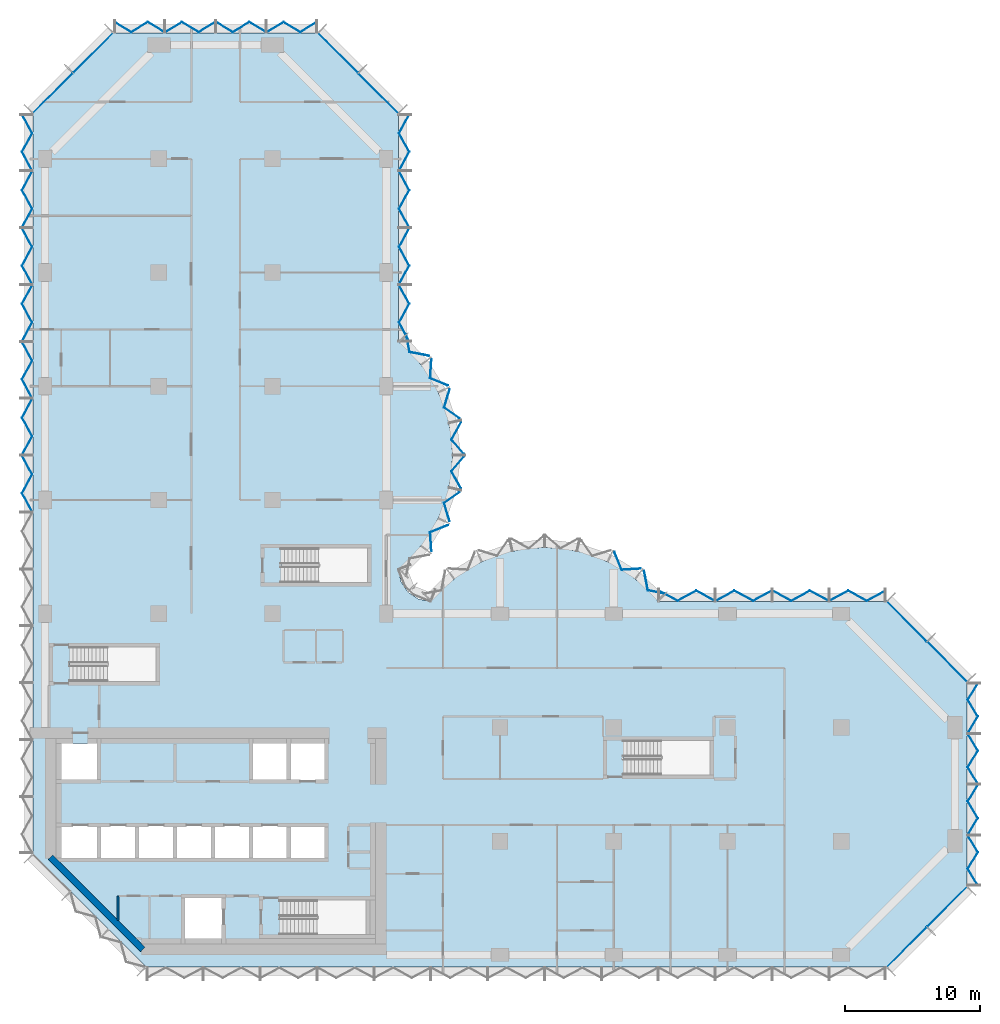
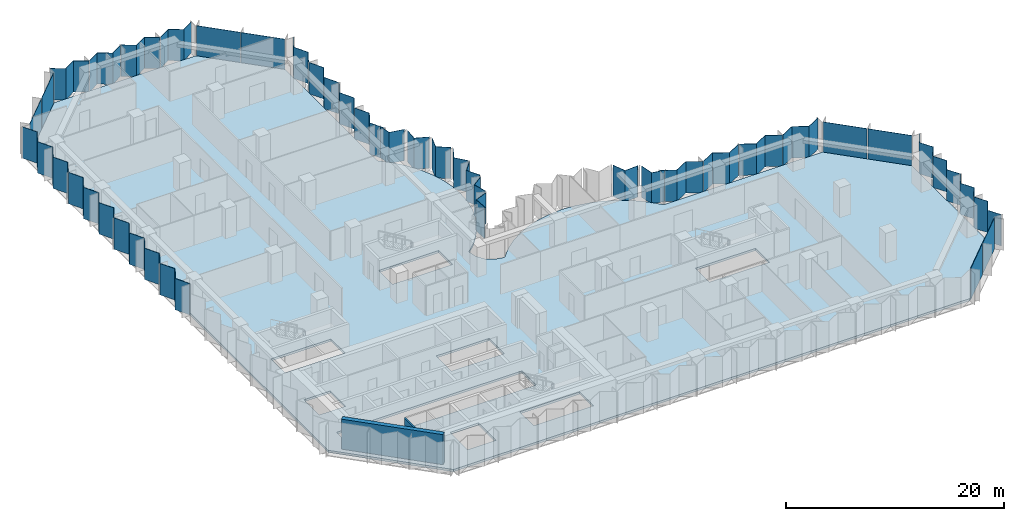
# One storey, part 6 of 13: 40 plates, 2 walls, 1 slab, 11 elements without a shape of their own.
"""IFC4 building model written with IfcOpenShell, lengths in metres."""

from ifc_helpers import new_model, si_unit, direction, frame, frame_2d, origin, place, context, subcontext, project, spatial, polyline, rectangle, outline, extrude, material, layer, layer_set, type_object, element, aggregate, save


model = new_model("IFC4")

# Units and contexts
model_context = context("Model", 3, precision=1e-05, world=origin(), true_north=direction((0.0, 1.0)))
body_context = subcontext(model_context, "Body", "Model", "MODEL_VIEW")
ifc_project = project(units=[si_unit("LENGTHUNIT", "METRE"), si_unit("AREAUNIT", "SQUARE_METRE"), si_unit("VOLUMEUNIT", "CUBIC_METRE"), si_unit("PLANEANGLEUNIT", "RADIAN"), si_unit("MASSUNIT", "GRAM", prefix="KILO")], contexts=[model_context])

# Site, building, storey
site_placement = place(None, origin())
site = spatial("IfcSite", under=ifc_project, at=site_placement, CompositionType="ELEMENT")
building_placement = place(site_placement, origin())
building = spatial("IfcBuilding", under=site, at=building_placement, Name="Brevane Broadcast Tower", CompositionType="ELEMENT")
storey_placement = place(building_placement, frame((0.0, 0.0, 102.5)))
storey = spatial("IfcBuildingStorey", under=building, at=storey_placement, Name="L24", CompositionType="ELEMENT", Elevation=102.5)

# Curtain wall, plates
ifc_material_1 = material(Name="Aluminium 6063-T6 bronze anodised", Category="aluminium")
curtain_wall_type = type_object("IfcCurtainWallType", Name="CW-1 curtain wall", PredefinedType="NOTDEFINED", material=ifc_material_1)
curtain_wall_1_placement = place(storey_placement, origin())
curtain_wall_1 = element("IfcCurtainWall", 1, at=curtain_wall_1_placement, inside=storey, type_object=curtain_wall_type, Name="CW-1 typical tilted unit L24 south-east chamfer", PredefinedType="NOTDEFINED")
ifc_material_2 = material(Name="Laminated glass bronze-tinted", Category="glass")
ifc_layer_1 = layer(ifc_material_2, 0.0400390625)
ifc_layer_set_1 = layer_set([ifc_layer_1], Name="CW tall glass panel 40")
plate_type = type_object("IfcPlateType", Name="CW tall glass panel 40", PredefinedType="CURTAIN_PANEL", material=ifc_layer_set_1)
plate_1_placement = place(storey_placement, frame((0.0, 0.0, -0.14990234375)))
plate_1 = element("IfcPlate", 2, at=plate_1_placement, type_object=plate_type, Name="CW-1 glass panel", PredefinedType="CURTAIN_PANEL", context=body_context, shape_type="SweptSolid", body=[
    extrude(outline(polyline([(62.14599609375, -0.896484375), (65.096435546875, 2.053955078125), (65.124755859375, 2.02587890625), (62.17431640625, -0.9248046875), (62.14599609375, -0.896484375)])), origin(), (0.0, 0.0, 1.0), 3.5),
])
plate_2_placement = place(storey_placement, frame((0.0, 0.0, -0.14990234375)))
plate_2 = element("IfcPlate", 3, at=plate_2_placement, type_object=plate_type, Name="CW-1 glass panel", PredefinedType="CURTAIN_PANEL", context=body_context, shape_type="SweptSolid", body=[
    extrude(outline(polyline([(65.14599609375, 2.103515625), (68.096435546875, 5.053955078125), (68.124755859375, 5.02587890625), (65.17431640625, 2.0751953125), (65.14599609375, 2.103515625)])), origin(), (0.0, 0.0, 1.0), 3.5),
])
aggregate(curtain_wall_1, [plate_1, plate_2])

curtain_wall_2_placement = place(storey_placement, origin())
curtain_wall_2 = element("IfcCurtainWall", 4, at=curtain_wall_2_placement, inside=storey, type_object=curtain_wall_type, Name="CW-1 typical tilted unit L24 east end", PredefinedType="NOTDEFINED")
plate_3_placement = place(storey_placement, frame((0.0, 0.0, -0.14990234375)))
plate_3 = element("IfcPlate", 5, at=plate_3_placement, type_object=plate_type, Name="CW-1 glass panel", PredefinedType="CURTAIN_PANEL", context=body_context, shape_type="SweptSolid", body=[
    extrude(outline(polyline([(68.87109375, 5.135009765625), (68.917724609375, 5.135009765625), (68.17333984375, 6.36181640625), (68.917724609375, 7.58837890625), (68.17333984375, 8.81494140625), (68.126708984375, 8.81494140625), (68.87109375, 7.58837890625), (68.126708984375, 6.36181640625), (68.87109375, 5.135009765625)])), origin(), (0.0, 0.0, 1.0), 3.5),
])
plate_4_placement = place(storey_placement, frame((0.0, 0.0, -0.14990234375)))
plate_4 = element("IfcPlate", 6, at=plate_4_placement, type_object=plate_type, Name="CW-1 glass panel", PredefinedType="CURTAIN_PANEL", context=body_context, shape_type="SweptSolid", body=[
    extrude(outline(polyline([(68.126708984375, 8.885009765625), (68.17333984375, 8.885009765625), (68.917724609375, 10.11181640625), (68.17333984375, 11.33837890625), (68.917724609375, 12.56494140625), (68.87109375, 12.56494140625), (68.126708984375, 11.33837890625), (68.87109375, 10.11181640625), (68.126708984375, 8.885009765625)])), origin(), (0.0, 0.0, 1.0), 3.5),
])
plate_5_placement = place(storey_placement, frame((0.0, 0.0, -0.14990234375)))
plate_5 = element("IfcPlate", 7, at=plate_5_placement, type_object=plate_type, Name="CW-1 glass panel", PredefinedType="CURTAIN_PANEL", context=body_context, shape_type="SweptSolid", body=[
    extrude(outline(polyline([(68.87109375, 12.635009765625), (68.917724609375, 12.635009765625), (68.17333984375, 13.86181640625), (68.917724609375, 15.08837890625), (68.17333984375, 16.31494140625), (68.126708984375, 16.31494140625), (68.87109375, 15.08837890625), (68.126708984375, 13.86181640625), (68.87109375, 12.635009765625)])), origin(), (0.0, 0.0, 1.0), 3.5),
])
plate_6_placement = place(storey_placement, frame((0.0, 0.0, -0.14990234375)))
plate_6 = element("IfcPlate", 8, at=plate_6_placement, type_object=plate_type, Name="CW-1 glass panel", PredefinedType="CURTAIN_PANEL", context=body_context, shape_type="SweptSolid", body=[
    extrude(outline(polyline([(68.126708984375, 16.385009765625), (68.17333984375, 16.385009765625), (68.917724609375, 17.61181640625), (68.17333984375, 18.83837890625), (68.917724609375, 20.06494140625), (68.87109375, 20.06494140625), (68.126708984375, 18.83837890625), (68.87109375, 17.61181640625), (68.126708984375, 16.385009765625)])), origin(), (0.0, 0.0, 1.0), 3.5),
])
aggregate(curtain_wall_2, [plate_3, plate_4, plate_5, plate_6])

curtain_wall_3_placement = place(storey_placement, origin())
curtain_wall_3 = element("IfcCurtainWall", 9, at=curtain_wall_3_placement, inside=storey, type_object=curtain_wall_type, Name="CW-1 typical tilted unit L24 north-east chamfer", PredefinedType="NOTDEFINED")
plate_7_placement = place(storey_placement, frame((0.0, 0.0, -0.14990234375)))
plate_7 = element("IfcPlate", 10, at=plate_7_placement, type_object=plate_type, Name="CW-1 glass panel", PredefinedType="CURTAIN_PANEL", context=body_context, shape_type="SweptSolid", body=[
    extrude(outline(polyline([(68.096435546875, 20.14599609375), (65.14599609375, 23.096435546875), (65.17431640625, 23.124755859375), (68.124755859375, 20.17431640625), (68.096435546875, 20.14599609375)])), origin(), (0.0, 0.0, 1.0), 3.5),
])
plate_8_placement = place(storey_placement, frame((0.0, 0.0, -0.14990234375)))
plate_8 = element("IfcPlate", 11, at=plate_8_placement, type_object=plate_type, Name="CW-1 glass panel", PredefinedType="CURTAIN_PANEL", context=body_context, shape_type="SweptSolid", body=[
    extrude(outline(polyline([(65.096435546875, 23.14599609375), (62.14599609375, 26.096435546875), (62.17431640625, 26.124755859375), (65.124755859375, 23.17431640625), (65.096435546875, 23.14599609375)])), origin(), (0.0, 0.0, 1.0), 3.5),
])
aggregate(curtain_wall_3, [plate_7, plate_8])

curtain_wall_4_placement = place(storey_placement, origin())
curtain_wall_4 = element("IfcCurtainWall", 12, at=curtain_wall_4_placement, inside=storey, type_object=curtain_wall_type, Name="CW-1 typical tilted unit L24 east arm north face", PredefinedType="NOTDEFINED")
plate_9_placement = place(storey_placement, frame((0.0, 0.0, -0.14990234375)))
plate_9 = element("IfcPlate", 13, at=plate_9_placement, type_object=plate_type, Name="CW-1 glass panel", PredefinedType="CURTAIN_PANEL", context=body_context, shape_type="SweptSolid", body=[
    extrude(outline(polyline([(62.06494140625, 26.87158203125), (62.06494140625, 26.9169921875), (60.688232421875, 26.172607421875), (59.311767578125, 26.9169921875), (57.93505859375, 26.172607421875), (57.93505859375, 26.127197265625), (59.311767578125, 26.87158203125), (60.688232421875, 26.127197265625), (62.06494140625, 26.87158203125)])), origin(), (0.0, 0.0, 1.0), 3.5),
])
plate_10_placement = place(storey_placement, frame((0.0, 0.0, -0.14990234375)))
plate_10 = element("IfcPlate", 14, at=plate_10_placement, type_object=plate_type, Name="CW-1 glass panel", PredefinedType="CURTAIN_PANEL", context=body_context, shape_type="SweptSolid", body=[
    extrude(outline(polyline([(57.864990234375, 26.127197265625), (57.864990234375, 26.172607421875), (56.48828125, 26.9169921875), (55.11181640625, 26.172607421875), (53.735107421875, 26.9169921875), (53.735107421875, 26.87158203125), (55.11181640625, 26.127197265625), (56.48828125, 26.87158203125), (57.864990234375, 26.127197265625)])), origin(), (0.0, 0.0, 1.0), 3.5),
])
plate_11_placement = place(storey_placement, frame((0.0, 0.0, -0.14990234375)))
plate_11 = element("IfcPlate", 15, at=plate_11_placement, type_object=plate_type, Name="CW-1 glass panel", PredefinedType="CURTAIN_PANEL", context=body_context, shape_type="SweptSolid", body=[
    extrude(outline(polyline([(53.6650390625, 26.87158203125), (53.6650390625, 26.9169921875), (52.288330078125, 26.172607421875), (50.91162109375, 26.9169921875), (49.534912109375, 26.172607421875), (49.534912109375, 26.127197265625), (50.91162109375, 26.87158203125), (52.288330078125, 26.127197265625), (53.6650390625, 26.87158203125)])), origin(), (0.0, 0.0, 1.0), 3.5),
])
plate_12_placement = place(storey_placement, frame((0.0, 0.0, -0.14990234375)))
plate_12 = element("IfcPlate", 16, at=plate_12_placement, type_object=plate_type, Name="CW-1 glass panel", PredefinedType="CURTAIN_PANEL", context=body_context, shape_type="SweptSolid", body=[
    extrude(outline(polyline([(49.465087890625, 26.127197265625), (49.465087890625, 26.172607421875), (48.08837890625, 26.9169921875), (46.711669921875, 26.172607421875), (45.3349609375, 26.9169921875), (45.3349609375, 26.87158203125), (46.711669921875, 26.127197265625), (48.08837890625, 26.87158203125), (49.465087890625, 26.127197265625)])), origin(), (0.0, 0.0, 1.0), 3.5),
])
aggregate(curtain_wall_4, [plate_9, plate_10, plate_11, plate_12])

curtain_wall_5_placement = place(storey_placement, origin())
curtain_wall_5 = element("IfcCurtainWall", 17, at=curtain_wall_5_placement, inside=storey, type_object=curtain_wall_type, Name="CW-1 typical tilted unit L24 east bow", PredefinedType="NOTDEFINED")
plate_13_placement = place(storey_placement, frame((0.0, 0.0, -0.14990234375)))
plate_13 = element("IfcPlate", 18, at=plate_13_placement, type_object=plate_type, Name="CW-1 glass panel", PredefinedType="CURTAIN_PANEL", context=body_context, shape_type="SweptSolid", body=[
    extrude(outline(polyline([(45.79150390625, 26.656005859375), (45.82470703125, 26.690185546875), (44.539306640625, 26.9423828125), (44.263916015625, 28.3857421875), (44.231201171875, 28.34375), (44.5048828125, 26.908203125), (45.79150390625, 26.656005859375)])), origin(), (0.0, 0.0, 1.0), 3.5),
])
plate_14_placement = place(storey_placement, frame((0.0, 0.0, -0.14990234375)))
plate_14 = element("IfcPlate", 19, at=plate_14_placement, type_object=plate_type, Name="CW-1 glass panel", PredefinedType="CURTAIN_PANEL", context=body_context, shape_type="SweptSolid", body=[
    extrude(outline(polyline([(43.950439453125, 28.5087890625), (43.9833984375, 28.551025390625), (42.601318359375, 28.462890625), (42.0703125, 29.76171875), (42.046875, 29.712890625), (42.5751953125, 28.42138671875), (43.950439453125, 28.5087890625)])), origin(), (0.0, 0.0, 1.0), 3.5),
])
aggregate(curtain_wall_5, [plate_13, plate_14])

curtain_wall_6_placement = place(storey_placement, origin())
curtain_wall_6 = element("IfcCurtainWall", 20, at=curtain_wall_6_placement, inside=storey, type_object=curtain_wall_type, Name="CW-1 typical tilted unit L24 north bow", PredefinedType="NOTDEFINED")
plate_15_placement = place(storey_placement, frame((0.0, 0.0, -0.14990234375)))
plate_15 = element("IfcPlate", 21, at=plate_15_placement, type_object=plate_type, Name="CW-1 glass panel", PredefinedType="CURTAIN_PANEL", context=body_context, shape_type="SweptSolid", body=[
    extrude(outline(polyline([(28.5087890625, 29.849609375), (28.551025390625, 29.816650390625), (28.462890625, 31.198486328125), (29.76171875, 31.729736328125), (29.712890625, 31.753173828125), (28.42138671875, 31.224609375), (28.5087890625, 29.849609375)])), origin(), (0.0, 0.0, 1.0), 3.5),
])
plate_16_placement = place(storey_placement, frame((0.0, 0.0, -0.14990234375)))
plate_16 = element("IfcPlate", 22, at=plate_16_placement, type_object=plate_type, Name="CW-1 glass panel", PredefinedType="CURTAIN_PANEL", context=body_context, shape_type="SweptSolid", body=[
    extrude(outline(polyline([(29.851806640625, 32.044677734375), (29.900634765625, 32.021484375), (29.494384765625, 33.364501953125), (30.622802734375, 34.167236328125), (30.57080078125, 34.17919921875), (29.44775390625, 33.380615234375), (29.851806640625, 32.044677734375)])), origin(), (0.0, 0.0, 1.0), 3.5),
])
plate_17_placement = place(storey_placement, frame((0.0, 0.0, -0.14990234375)))
plate_17 = element("IfcPlate", 23, at=plate_17_placement, type_object=plate_type, Name="CW-1 glass panel", PredefinedType="CURTAIN_PANEL", context=body_context, shape_type="SweptSolid", body=[
    extrude(outline(polyline([(30.68798828125, 34.483642578125), (30.740478515625, 34.4716796875), (30.036376953125, 35.730224609375), (30.94921875, 36.7919921875), (30.896484375, 36.7919921875), (29.98779296875, 35.735107421875), (30.68798828125, 34.483642578125)])), origin(), (0.0, 0.0, 1.0), 3.5),
])
plate_18_placement = place(storey_placement, frame((0.0, 0.0, -0.14990234375)))
plate_18 = element("IfcPlate", 24, at=plate_18_placement, type_object=plate_type, Name="CW-1 glass panel", PredefinedType="CURTAIN_PANEL", context=body_context, shape_type="SweptSolid", body=[
    extrude(outline(polyline([(30.896484375, 37.008056640625), (30.94921875, 37.008056640625), (30.036376953125, 38.069580078125), (30.740478515625, 39.328369140625), (30.68798828125, 39.31640625), (29.98779296875, 38.064697265625), (30.896484375, 37.008056640625)])), origin(), (0.0, 0.0, 1.0), 3.5),
])
plate_19_placement = place(storey_placement, frame((0.0, 0.0, -0.14990234375)))
plate_19 = element("IfcPlate", 25, at=plate_19_placement, type_object=plate_type, Name="CW-1 glass panel", PredefinedType="CURTAIN_PANEL", context=body_context, shape_type="SweptSolid", body=[
    extrude(outline(polyline([(30.57080078125, 39.62060546875), (30.622802734375, 39.6328125), (29.494384765625, 40.435546875), (29.900634765625, 41.778564453125), (29.851806640625, 41.75537109375), (29.44775390625, 40.41943359375), (30.57080078125, 39.62060546875)])), origin(), (0.0, 0.0, 1.0), 3.5),
])
plate_20_placement = place(storey_placement, frame((0.0, 0.0, -0.14990234375)))
plate_20 = element("IfcPlate", 26, at=plate_20_placement, type_object=plate_type, Name="CW-1 glass panel", PredefinedType="CURTAIN_PANEL", context=body_context, shape_type="SweptSolid", body=[
    extrude(outline(polyline([(29.712890625, 42.046875), (29.76171875, 42.0703125), (28.462890625, 42.601318359375), (28.551025390625, 43.9833984375), (28.5087890625, 43.950439453125), (28.42138671875, 42.5751953125), (29.712890625, 42.046875)])), origin(), (0.0, 0.0, 1.0), 3.5),
])
plate_21_placement = place(storey_placement, frame((0.0, 0.0, -0.14990234375)))
plate_21 = element("IfcPlate", 27, at=plate_21_placement, type_object=plate_type, Name="CW-1 glass panel", PredefinedType="CURTAIN_PANEL", context=body_context, shape_type="SweptSolid", body=[
    extrude(outline(polyline([(28.34375, 44.231201171875), (28.3857421875, 44.263916015625), (26.9423828125, 44.539306640625), (26.690185546875, 45.82470703125), (26.656005859375, 45.79150390625), (26.908203125, 44.5048828125), (28.34375, 44.231201171875)])), origin(), (0.0, 0.0, 1.0), 3.5),
])
aggregate(curtain_wall_6, [plate_15, plate_16, plate_17, plate_18, plate_19, plate_20, plate_21])

curtain_wall_7_placement = place(storey_placement, origin())
curtain_wall_7 = element("IfcCurtainWall", 28, at=curtain_wall_7_placement, inside=storey, type_object=curtain_wall_type, Name="CW-1 typical tilted unit L24 north arm east face", PredefinedType="NOTDEFINED")
plate_22_placement = place(storey_placement, frame((0.0, 0.0, -0.14990234375)))
plate_22 = element("IfcPlate", 29, at=plate_22_placement, type_object=plate_type, Name="CW-1 glass panel", PredefinedType="CURTAIN_PANEL", context=body_context, shape_type="SweptSolid", body=[
    extrude(outline(polyline([(26.87158203125, 45.3349609375), (26.9169921875, 45.3349609375), (26.172607421875, 46.711669921875), (26.9169921875, 48.08837890625), (26.172607421875, 49.465087890625), (26.127197265625, 49.465087890625), (26.87158203125, 48.08837890625), (26.127197265625, 46.711669921875), (26.87158203125, 45.3349609375)])), origin(), (0.0, 0.0, 1.0), 3.5),
])
plate_23_placement = place(storey_placement, frame((0.0, 0.0, -0.14990234375)))
plate_23 = element("IfcPlate", 30, at=plate_23_placement, type_object=plate_type, Name="CW-1 glass panel", PredefinedType="CURTAIN_PANEL", context=body_context, shape_type="SweptSolid", body=[
    extrude(outline(polyline([(26.127197265625, 49.534912109375), (26.172607421875, 49.534912109375), (26.9169921875, 50.91162109375), (26.172607421875, 52.288330078125), (26.9169921875, 53.6650390625), (26.87158203125, 53.6650390625), (26.127197265625, 52.288330078125), (26.87158203125, 50.91162109375), (26.127197265625, 49.534912109375)])), origin(), (0.0, 0.0, 1.0), 3.5),
])
plate_24_placement = place(storey_placement, frame((0.0, 0.0, -0.14990234375)))
plate_24 = element("IfcPlate", 31, at=plate_24_placement, type_object=plate_type, Name="CW-1 glass panel", PredefinedType="CURTAIN_PANEL", context=body_context, shape_type="SweptSolid", body=[
    extrude(outline(polyline([(26.87158203125, 53.735107421875), (26.9169921875, 53.735107421875), (26.172607421875, 55.11181640625), (26.9169921875, 56.48828125), (26.172607421875, 57.864990234375), (26.127197265625, 57.864990234375), (26.87158203125, 56.48828125), (26.127197265625, 55.11181640625), (26.87158203125, 53.735107421875)])), origin(), (0.0, 0.0, 1.0), 3.5),
])
plate_25_placement = place(storey_placement, frame((0.0, 0.0, -0.14990234375)))
plate_25 = element("IfcPlate", 32, at=plate_25_placement, type_object=plate_type, Name="CW-1 glass panel", PredefinedType="CURTAIN_PANEL", context=body_context, shape_type="SweptSolid", body=[
    extrude(outline(polyline([(26.127197265625, 57.93505859375), (26.172607421875, 57.93505859375), (26.9169921875, 59.311767578125), (26.172607421875, 60.688232421875), (26.9169921875, 62.06494140625), (26.87158203125, 62.06494140625), (26.127197265625, 60.688232421875), (26.87158203125, 59.311767578125), (26.127197265625, 57.93505859375)])), origin(), (0.0, 0.0, 1.0), 3.5),
])
aggregate(curtain_wall_7, [plate_22, plate_23, plate_24, plate_25])

curtain_wall_8_placement = place(storey_placement, origin())
curtain_wall_8 = element("IfcCurtainWall", 33, at=curtain_wall_8_placement, inside=storey, type_object=curtain_wall_type, Name="CW-1 typical tilted unit L24 north arm north-east chamfer", PredefinedType="NOTDEFINED")
plate_26_placement = place(storey_placement, frame((0.0, 0.0, -0.14990234375)))
plate_26 = element("IfcPlate", 34, at=plate_26_placement, type_object=plate_type, Name="CW-1 glass panel", PredefinedType="CURTAIN_PANEL", context=body_context, shape_type="SweptSolid", body=[
    extrude(outline(polyline([(26.096435546875, 62.14599609375), (23.14599609375, 65.096435546875), (23.17431640625, 65.124755859375), (26.124755859375, 62.17431640625), (26.096435546875, 62.14599609375)])), origin(), (0.0, 0.0, 1.0), 3.5),
])
plate_27_placement = place(storey_placement, frame((0.0, 0.0, -0.14990234375)))
plate_27 = element("IfcPlate", 35, at=plate_27_placement, type_object=plate_type, Name="CW-1 glass panel", PredefinedType="CURTAIN_PANEL", context=body_context, shape_type="SweptSolid", body=[
    extrude(outline(polyline([(23.096435546875, 65.14599609375), (20.14599609375, 68.096435546875), (20.17431640625, 68.124755859375), (23.124755859375, 65.17431640625), (23.096435546875, 65.14599609375)])), origin(), (0.0, 0.0, 1.0), 3.5),
])
aggregate(curtain_wall_8, [plate_26, plate_27])

curtain_wall_9_placement = place(storey_placement, origin())
curtain_wall_9 = element("IfcCurtainWall", 36, at=curtain_wall_9_placement, inside=storey, type_object=curtain_wall_type, Name="CW-1 typical tilted unit L24 north end", PredefinedType="NOTDEFINED")
plate_28_placement = place(storey_placement, frame((0.0, 0.0, -0.14990234375)))
plate_28 = element("IfcPlate", 37, at=plate_28_placement, type_object=plate_type, Name="CW-1 glass panel", PredefinedType="CURTAIN_PANEL", context=body_context, shape_type="SweptSolid", body=[
    extrude(outline(polyline([(20.06494140625, 68.87109375), (20.06494140625, 68.917724609375), (18.83837890625, 68.17333984375), (17.61181640625, 68.917724609375), (16.385009765625, 68.17333984375), (16.385009765625, 68.126708984375), (17.61181640625, 68.87109375), (18.83837890625, 68.126708984375), (20.06494140625, 68.87109375)])), origin(), (0.0, 0.0, 1.0), 3.5),
])
plate_29_placement = place(storey_placement, frame((0.0, 0.0, -0.14990234375)))
plate_29 = element("IfcPlate", 38, at=plate_29_placement, type_object=plate_type, Name="CW-1 glass panel", PredefinedType="CURTAIN_PANEL", context=body_context, shape_type="SweptSolid", body=[
    extrude(outline(polyline([(16.31494140625, 68.126708984375), (16.31494140625, 68.17333984375), (15.08837890625, 68.917724609375), (13.86181640625, 68.17333984375), (12.635009765625, 68.917724609375), (12.635009765625, 68.87109375), (13.86181640625, 68.126708984375), (15.08837890625, 68.87109375), (16.31494140625, 68.126708984375)])), origin(), (0.0, 0.0, 1.0), 3.5),
])
plate_30_placement = place(storey_placement, frame((0.0, 0.0, -0.14990234375)))
plate_30 = element("IfcPlate", 39, at=plate_30_placement, type_object=plate_type, Name="CW-1 glass panel", PredefinedType="CURTAIN_PANEL", context=body_context, shape_type="SweptSolid", body=[
    extrude(outline(polyline([(12.56494140625, 68.87109375), (12.56494140625, 68.917724609375), (11.33837890625, 68.17333984375), (10.11181640625, 68.917724609375), (8.885009765625, 68.17333984375), (8.885009765625, 68.126708984375), (10.11181640625, 68.87109375), (11.33837890625, 68.126708984375), (12.56494140625, 68.87109375)])), origin(), (0.0, 0.0, 1.0), 3.5),
])
plate_31_placement = place(storey_placement, frame((0.0, 0.0, -0.14990234375)))
plate_31 = element("IfcPlate", 40, at=plate_31_placement, type_object=plate_type, Name="CW-1 glass panel", PredefinedType="CURTAIN_PANEL", context=body_context, shape_type="SweptSolid", body=[
    extrude(outline(polyline([(8.81494140625, 68.126708984375), (8.81494140625, 68.17333984375), (7.58837890625, 68.917724609375), (6.36181640625, 68.17333984375), (5.135009765625, 68.917724609375), (5.135009765625, 68.87109375), (6.36181640625, 68.126708984375), (7.58837890625, 68.87109375), (8.81494140625, 68.126708984375)])), origin(), (0.0, 0.0, 1.0), 3.5),
])
aggregate(curtain_wall_9, [plate_28, plate_29, plate_30, plate_31])

curtain_wall_10_placement = place(storey_placement, origin())
curtain_wall_10 = element("IfcCurtainWall", 41, at=curtain_wall_10_placement, inside=storey, type_object=curtain_wall_type, Name="CW-1 typical tilted unit L24 north-west chamfer", PredefinedType="NOTDEFINED")
plate_32_placement = place(storey_placement, frame((0.0, 0.0, -0.14990234375)))
plate_32 = element("IfcPlate", 42, at=plate_32_placement, type_object=plate_type, Name="CW-1 glass panel", PredefinedType="CURTAIN_PANEL", context=body_context, shape_type="SweptSolid", body=[
    extrude(outline(polyline([(5.053955078125, 68.096435546875), (2.103515625, 65.14599609375), (2.0751953125, 65.17431640625), (5.02587890625, 68.124755859375), (5.053955078125, 68.096435546875)])), origin(), (0.0, 0.0, 1.0), 3.5),
])
plate_33_placement = place(storey_placement, frame((0.0, 0.0, -0.14990234375)))
plate_33 = element("IfcPlate", 43, at=plate_33_placement, type_object=plate_type, Name="CW-1 glass panel", PredefinedType="CURTAIN_PANEL", context=body_context, shape_type="SweptSolid", body=[
    extrude(outline(polyline([(2.053955078125, 65.096435546875), (-0.896484375, 62.14599609375), (-0.9248046875, 62.17431640625), (2.02587890625, 65.124755859375), (2.053955078125, 65.096435546875)])), origin(), (0.0, 0.0, 1.0), 3.5),
])
aggregate(curtain_wall_10, [plate_32, plate_33])

curtain_wall_11_placement = place(storey_placement, origin())
curtain_wall_11 = element("IfcCurtainWall", 44, at=curtain_wall_11_placement, inside=storey, type_object=curtain_wall_type, Name="CW-1 typical tilted unit L24 west face", PredefinedType="NOTDEFINED")
plate_34_placement = place(storey_placement, frame((0.0, 0.0, -0.14990234375)))
plate_34 = element("IfcPlate", 45, at=plate_34_placement, type_object=plate_type, Name="CW-1 glass panel", PredefinedType="CURTAIN_PANEL", context=body_context, shape_type="SweptSolid", body=[
    extrude(outline(polyline([(-1.671630859375, 62.06494140625), (-1.717041015625, 62.06494140625), (-0.97265625, 60.688232421875), (-1.717041015625, 59.311767578125), (-0.97265625, 57.93505859375), (-0.92724609375, 57.93505859375), (-1.671630859375, 59.311767578125), (-0.92724609375, 60.688232421875), (-1.671630859375, 62.06494140625)])), origin(), (0.0, 0.0, 1.0), 3.5),
])
plate_35_placement = place(storey_placement, frame((0.0, 0.0, -0.14990234375)))
plate_35 = element("IfcPlate", 46, at=plate_35_placement, type_object=plate_type, Name="CW-1 glass panel", PredefinedType="CURTAIN_PANEL", context=body_context, shape_type="SweptSolid", body=[
    extrude(outline(polyline([(-0.92724609375, 57.864990234375), (-0.97265625, 57.864990234375), (-1.717041015625, 56.48828125), (-0.97265625, 55.11181640625), (-1.717041015625, 53.735107421875), (-1.671630859375, 53.735107421875), (-0.92724609375, 55.11181640625), (-1.671630859375, 56.48828125), (-0.92724609375, 57.864990234375)])), origin(), (0.0, 0.0, 1.0), 3.5),
])
plate_36_placement = place(storey_placement, frame((0.0, 0.0, -0.14990234375)))
plate_36 = element("IfcPlate", 47, at=plate_36_placement, type_object=plate_type, Name="CW-1 glass panel", PredefinedType="CURTAIN_PANEL", context=body_context, shape_type="SweptSolid", body=[
    extrude(outline(polyline([(-1.671630859375, 53.6650390625), (-1.717041015625, 53.6650390625), (-0.97265625, 52.288330078125), (-1.717041015625, 50.91162109375), (-0.97265625, 49.534912109375), (-0.92724609375, 49.534912109375), (-1.671630859375, 50.91162109375), (-0.92724609375, 52.288330078125), (-1.671630859375, 53.6650390625)])), origin(), (0.0, 0.0, 1.0), 3.5),
])
plate_37_placement = place(storey_placement, frame((0.0, 0.0, -0.14990234375)))
plate_37 = element("IfcPlate", 48, at=plate_37_placement, type_object=plate_type, Name="CW-1 glass panel", PredefinedType="CURTAIN_PANEL", context=body_context, shape_type="SweptSolid", body=[
    extrude(outline(polyline([(-0.92724609375, 49.465087890625), (-0.97265625, 49.465087890625), (-1.717041015625, 48.08837890625), (-0.97265625, 46.711669921875), (-1.717041015625, 45.3349609375), (-1.671630859375, 45.3349609375), (-0.92724609375, 46.711669921875), (-1.671630859375, 48.08837890625), (-0.92724609375, 49.465087890625)])), origin(), (0.0, 0.0, 1.0), 3.5),
])
plate_38_placement = place(storey_placement, frame((0.0, 0.0, -0.14990234375)))
plate_38 = element("IfcPlate", 49, at=plate_38_placement, type_object=plate_type, Name="CW-1 glass panel", PredefinedType="CURTAIN_PANEL", context=body_context, shape_type="SweptSolid", body=[
    extrude(outline(polyline([(-1.671630859375, 45.264892578125), (-1.717041015625, 45.264892578125), (-0.97265625, 43.88818359375), (-1.717041015625, 42.51171875), (-0.97265625, 41.135009765625), (-0.92724609375, 41.135009765625), (-1.671630859375, 42.51171875), (-0.92724609375, 43.88818359375), (-1.671630859375, 45.264892578125)])), origin(), (0.0, 0.0, 1.0), 3.5),
])
plate_39_placement = place(storey_placement, frame((0.0, 0.0, -0.14990234375)))
plate_39 = element("IfcPlate", 50, at=plate_39_placement, type_object=plate_type, Name="CW-1 glass panel", PredefinedType="CURTAIN_PANEL", context=body_context, shape_type="SweptSolid", body=[
    extrude(outline(polyline([(-0.92724609375, 41.06494140625), (-0.97265625, 41.06494140625), (-1.717041015625, 39.688232421875), (-0.97265625, 38.311767578125), (-1.717041015625, 36.93505859375), (-1.671630859375, 36.93505859375), (-0.92724609375, 38.311767578125), (-1.671630859375, 39.688232421875), (-0.92724609375, 41.06494140625)])), origin(), (0.0, 0.0, 1.0), 3.5),
])
plate_40_placement = place(storey_placement, frame((0.0, 0.0, -0.14990234375)))
plate_40 = element("IfcPlate", 51, at=plate_40_placement, type_object=plate_type, Name="CW-1 glass panel", PredefinedType="CURTAIN_PANEL", context=body_context, shape_type="SweptSolid", body=[
    extrude(outline(polyline([(-1.671630859375, 36.864990234375), (-1.717041015625, 36.864990234375), (-0.97265625, 35.48828125), (-1.717041015625, 34.11181640625), (-0.97265625, 32.735107421875), (-0.92724609375, 32.735107421875), (-1.671630859375, 34.11181640625), (-0.92724609375, 35.48828125), (-1.671630859375, 36.864990234375)])), origin(), (0.0, 0.0, 1.0), 3.5),
])
aggregate(curtain_wall_11, [plate_34, plate_35, plate_36, plate_37, plate_38, plate_39, plate_40])

# Slab
ifc_material_3 = material(Name="Concrete C40/50", Category="concrete")
ifc_layer_2 = layer(ifc_material_3, 0.25)
ifc_layer_set_2 = layer_set([ifc_layer_2], Name="RC FLOOR SLAB 250 C40/50")
slab_type = type_object("IfcSlabType", Name="RC FLOOR SLAB 250 C40/50", PredefinedType="FLOOR", material=ifc_layer_set_2)
slab_placement = place(storey_placement, frame((0.0, 0.0, -0.25)))
element("IfcSlab", 52, at=slab_placement, inside=storey, type_object=slab_type, Name="SL250 L24", PredefinedType="FLOOR", context=body_context, shape_type="SweptSolid", body=[
    extrude(outline(polyline([(-0.89990234375, 7.5), (-0.89990234375, 62.10009765625), (5.10009765625, 68.10009765625), (20.10009765625, 68.10009765625), (26.10009765625, 62.10009765625), (26.10009765625, 45.300048828125), (27.10888671875, 44.36865234375), (27.99169921875, 43.317138671875), (28.734130859375, 42.162353515625), (29.324462890625, 40.922607421875), (29.7529296875, 39.618408203125), (30.012939453125, 38.270263671875), (30.10009765625, 36.89990234375), (30.012939453125, 35.52978515625), (29.7529296875, 34.181640625), (29.324462890625, 32.877197265625), (28.734130859375, 31.6376953125), (27.99169921875, 30.48291015625), (27.10888671875, 29.431396484375), (26.10009765625, 28.5), (26.28271484375, 27.58154296875), (26.802978515625, 26.802978515625), (27.58154296875, 26.28271484375), (28.5, 26.10009765625), (29.431396484375, 27.10888671875), (30.48291015625, 27.99169921875), (31.6376953125, 28.734130859375), (32.877197265625, 29.324462890625), (34.181640625, 29.7529296875), (35.52978515625, 30.012939453125), (36.89990234375, 30.10009765625), (38.270263671875, 30.012939453125), (39.618408203125, 29.7529296875), (40.922607421875, 29.324462890625), (42.162353515625, 28.734130859375), (43.317138671875, 27.99169921875), (44.36865234375, 27.10888671875), (45.300048828125, 26.10009765625), (62.10009765625, 26.10009765625), (68.10009765625, 20.10009765625), (68.10009765625, 5.10009765625), (62.10009765625, -0.89990234375), (7.5, -0.89990234375), (-0.89990234375, 7.5)]), holes=[polyline([(13.199951171875, 4.39990234375), (10.199951171875, 4.39990234375), (10.199951171875, 1.199951171875), (13.199951171875, 1.199951171875), (13.199951171875, 4.39990234375)]), polyline([(4.0, 9.60009765625), (1.199951171875, 9.60009765625), (1.199951171875, 7.0), (4.0, 7.0), (6.800048828125, 7.0), (9.60009765625, 7.0), (12.39990234375, 7.0), (15.199951171875, 7.0), (18.0, 7.0), (20.800048828125, 7.0), (20.800048828125, 9.60009765625), (18.0, 9.60009765625), (15.199951171875, 9.60009765625), (12.39990234375, 9.60009765625), (9.60009765625, 9.60009765625), (6.800048828125, 9.60009765625), (4.0, 9.60009765625)]), polyline([(4.0, 12.800048828125), (4.0, 15.60009765625), (1.199951171875, 15.60009765625), (1.199951171875, 12.800048828125), (4.0, 12.800048828125)]), polyline([(8.199951171875, 22.75), (1.860107421875, 22.75), (1.860107421875, 20.199951171875), (8.199951171875, 20.199951171875), (8.199951171875, 22.75)]), polyline([(23.699951171875, 4.050048828125), (17.360107421875, 4.050048828125), (17.360107421875, 1.5), (23.699951171875, 1.5), (23.699951171875, 4.050048828125)]), polyline([(18.0, 15.60009765625), (15.199951171875, 15.60009765625), (15.199951171875, 12.800048828125), (18.0, 12.800048828125), (20.800048828125, 12.800048828125), (20.800048828125, 15.60009765625), (18.0, 15.60009765625)]), polyline([(49.10009765625, 15.85009765625), (42.760009765625, 15.85009765625), (42.760009765625, 13.300048828125), (49.10009765625, 13.300048828125), (49.10009765625, 15.85009765625)]), polyline([(23.800048828125, 30.050048828125), (17.4599609375, 30.050048828125), (17.4599609375, 27.5), (23.800048828125, 27.5), (23.800048828125, 30.050048828125)])]), origin(), (0.0, 0.0, 1.0), 0.25),
])

# Walls
ifc_material_4 = material(Name="Gypsum board on steel studs", Category="steel")
ifc_layer_3 = layer(ifc_material_4, 0.14990234375)
ifc_layer_set_3 = layer_set([ifc_layer_3], Name="Core fire partition 150 mm")
wall_type_1 = type_object("IfcWallType", Name="Core fire partition 150 mm", PredefinedType="PARTITIONING", material=ifc_layer_set_3)
wall_1_placement = place(storey_placement, frame((5.39990234375, 2.553466796875, 0.0), z_axis=(0.0, 0.0, 1.0), x_axis=(0.0, 1.0, 0.0)))
element("IfcWall", 53, at=wall_1_placement, inside=storey, type_object=wall_type_1, Name="L24 partition wall P10", PredefinedType="PARTITIONING", context=body_context, shape_type="SweptSolid", body=[
    extrude(rectangle(XDim=1.796630859375, YDim=0.14990234375, at=frame_2d((0.8984375, 0.0))), origin(), (0.0, 0.0, 1.0), 3.35009765625),
])
ifc_material_5 = material(Name="Concrete C60/75", Category="concrete")
ifc_layer_4 = layer(ifc_material_5, 0.449951171875)
ifc_layer_set_4 = layer_set([ifc_layer_4], Name="Core wall 450 mm C60/75")
wall_type_2 = type_object("IfcWallType", Name="Core wall 450 mm C60/75", PredefinedType="SHEAR", material=ifc_layer_set_4)
wall_2_placement = place(storey_placement, frame((0.39990234375, 7.21826171875, 0.0), z_axis=(0.0, 0.0, 1.0), x_axis=(0.707106781187, -0.707106781187, 0.0)))
element("IfcWall", 54, at=wall_2_placement, inside=storey, type_object=wall_type_2, Name="L24 outer wall WC", PredefinedType="SHEAR", context=body_context, shape_type="SweptSolid", body=[
    extrude(rectangle(XDim=9.642578125, YDim=0.449951171875, at=frame_2d((4.8212890625, 0.0))), origin(), (0.0, 0.0, 1.0), 3.35009765625),
])

save(model, "model.ifc")
